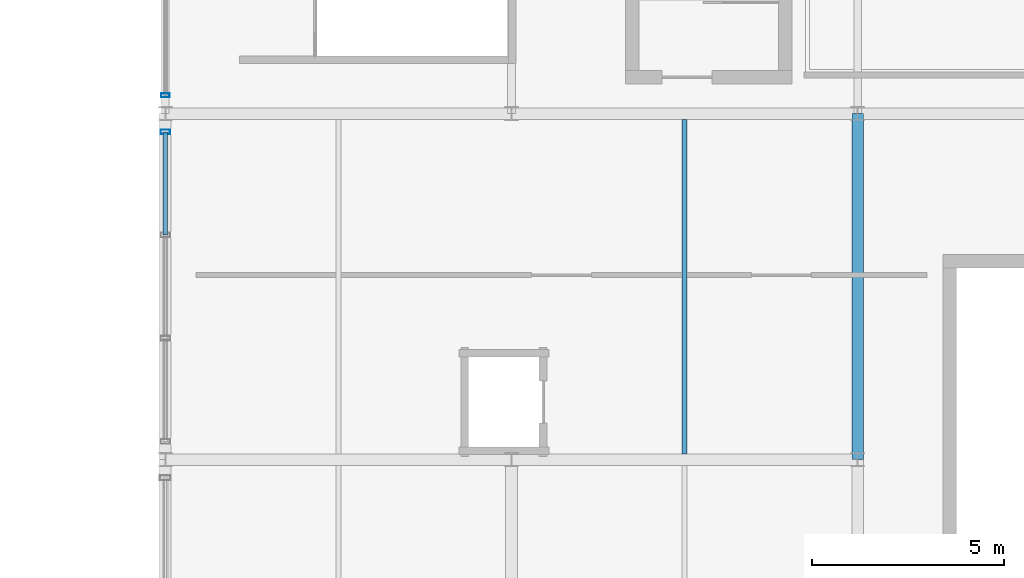
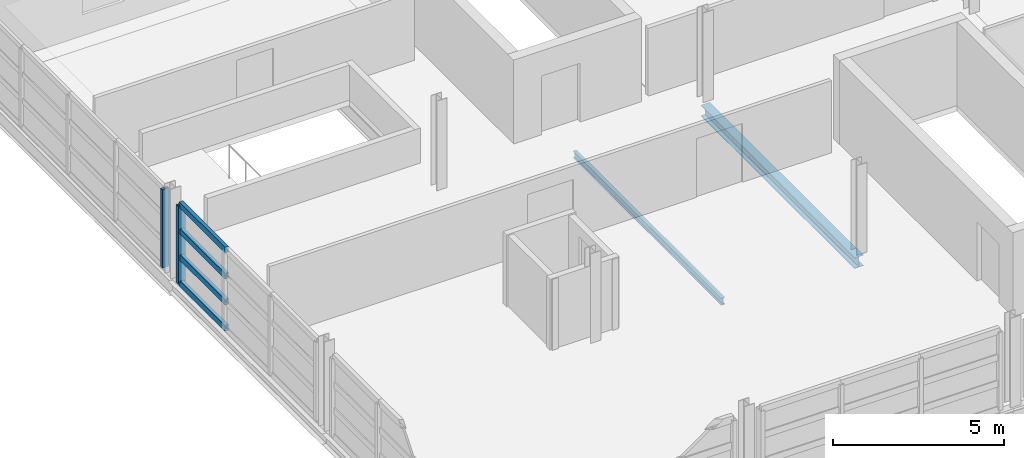
# One storey, part 33 of 86: 6 members, 2 beams, 2 elements without a shape of their own.
"""IFC4 building model written with IfcOpenShell, lengths in metres."""

from ifc_helpers import new_model, si_unit, direction, frame, origin, origin_2d, place, context, subcontext, project, spatial, hollow_rectangle, i_section, extrude, material, material_profile, profile_set, type_object, element, aggregate, save


model = new_model("IFC4")

# Units and contexts
model_context = context("Model", 3, precision=1e-05, world=origin(), true_north=direction((0.0, 1.0)))
body_context = subcontext(model_context, "Body", "Model", "MODEL_VIEW")
ifc_project = project(units=[si_unit("LENGTHUNIT", "METRE"), si_unit("AREAUNIT", "SQUARE_METRE"), si_unit("VOLUMEUNIT", "CUBIC_METRE"), si_unit("PLANEANGLEUNIT", "RADIAN"), si_unit("MASSUNIT", "GRAM", prefix="KILO")], contexts=[model_context])

# Site, building, storey
site_placement = place(None, origin())
site = spatial("IfcSite", under=ifc_project, at=site_placement, CompositionType="ELEMENT")
building_placement = place(site_placement, origin())
building = spatial("IfcBuilding", under=site, at=building_placement, Name="Chuanluo Vaults Station", CompositionType="ELEMENT")
storey_placement = place(building_placement, frame((0.0, 0.0, 14.39990234375)))
storey = spatial("IfcBuildingStorey", under=building, at=storey_placement, Name="L03", CompositionType="ELEMENT", Elevation=14.39990234375)

# Beams
ifc_material_1 = material(Name="Steel Q355C", Category="steel")
ifc_material_profile_1 = material_profile(ifc_material_1, i_section(OverallWidth=0.300048828125, OverallDepth=0.389892578125, WebThickness=0.010009765625, FlangeThickness=0.01611328125, FilletRadius=0.02001953125, at=origin_2d()))
ifc_profile_set_1 = profile_set([ifc_material_profile_1], Name="Steel Q355C")
beam_type_1 = type_object("IfcBeamType", Name="BM-GRD-400", PredefinedType="BEAM", material=ifc_profile_set_1)
beam_1_placement = place(storey_placement, frame((154.0, 9.0, -0.39501953125), z_axis=(0.0, 1.0, 0.0), x_axis=(-1.0, 0.0, 0.0)))
element("IfcBeam", 1, at=beam_1_placement, inside=storey, type_object=beam_type_1, Name="Floor girder BM:GY:L03:0796", PredefinedType="BEAM", context=body_context, shape_type="SweptSolid", body=[
    extrude(i_section(OverallWidth=0.300048828125, OverallDepth=0.389892578125, WebThickness=0.010009765625, FlangeThickness=0.01611328125, FilletRadius=0.02001953125, at=origin_2d()), origin(), (0.0, 0.0, 1.0), 9.0),
])
ifc_material_2 = material(Name="Steel Q355C", Category="steel")
ifc_material_profile_2 = material_profile(ifc_material_2, i_section(OverallWidth=0.125, OverallDepth=0.25, WebThickness=0.006103515625, FlangeThickness=0.009033203125, FilletRadius=0.011962890625, at=origin_2d()))
ifc_profile_set_2 = profile_set([ifc_material_profile_2], Name="Steel Q355C")
beam_type_2 = type_object("IfcBeamType", Name="BM-SEC-250", PredefinedType="JOIST", material=ifc_profile_set_2)
beam_2_placement = place(storey_placement, frame((149.5, 9.155029296875, -0.324951171875), z_axis=(0.0, 1.0, 0.0), x_axis=(-1.0, 0.0, 0.0)))
element("IfcBeam", 2, at=beam_2_placement, inside=storey, type_object=beam_type_2, Name="Composite secondary joist 0237", PredefinedType="JOIST", context=body_context, shape_type="SweptSolid", body=[
    extrude(i_section(OverallWidth=0.125, OverallDepth=0.25, WebThickness=0.006103515625, FlangeThickness=0.009033203125, FilletRadius=0.011962890625, at=origin_2d()), origin(), (0.0, 0.0, 1.0), 8.68994140625),
])

# Curtain wall, member
ifc_material_3 = material(Name="Anodised aluminium 6063-T6", Category="aluminium")
curtain_wall_type_1 = type_object("IfcCurtainWallType", Name="CW-SYS-04", PredefinedType="NOTDEFINED", material=ifc_material_3)
curtain_wall_1_placement = place(storey_placement, origin())
curtain_wall_1 = element("IfcCurtainWall", 3, at=curtain_wall_1_placement, inside=storey, type_object=curtain_wall_type_1, Name="Retail pavilion L03 facade CW", PredefinedType="NOTDEFINED")
ifc_material_4 = material(Name="Anodised aluminium 6063-T6", Category="aluminium")
ifc_material_profile_3 = material_profile(ifc_material_4, hollow_rectangle(XDim=0.10498046875, YDim=0.219970703125, WallThickness=0.006103515625, at=origin_2d()))
ifc_profile_set_3 = profile_set([ifc_material_profile_3], Name="Anodised aluminium 6063-T6")
member_type_1 = type_object("IfcMemberType", Name="CWM-140", PredefinedType="MULLION", material=ifc_profile_set_3)
member_1_placement = place(storey_placement, frame((136.0, 18.47509765625, 0.0), z_axis=(0.0, 0.0, 1.0), x_axis=(0.0, 1.0, 0.0)))
member_1 = element("IfcMember", 4, at=member_1_placement, type_object=member_type_1, Name="Retail pavilion L03 facade CW mullion 1", PredefinedType="MULLION", context=body_context, shape_type="SweptSolid", body=[
    extrude(hollow_rectangle(XDim=0.10498046875, YDim=0.219970703125, WallThickness=0.006103515625, at=origin_2d()), origin(), (0.0, 0.0, 1.0), 2.800048828125),
])
aggregate(curtain_wall_1, [member_1])

# Curtain wall, members
ifc_material_5 = material(Name="Anodised aluminium 6063-T6", Category="aluminium")
curtain_wall_type_2 = type_object("IfcCurtainWallType", Name="CW-SYS-03", PredefinedType="NOTDEFINED", material=ifc_material_5)
curtain_wall_2_placement = place(storey_placement, origin())
curtain_wall_2 = element("IfcCurtainWall", 5, at=curtain_wall_2_placement, inside=storey, type_object=curtain_wall_type_2, Name="Retail pavilion L03 facade CW", PredefinedType="NOTDEFINED")
ifc_material_6 = material(Name="Anodised aluminium 6063-T6", Category="aluminium")
ifc_material_profile_4 = material_profile(ifc_material_6, hollow_rectangle(XDim=0.1201171875, YDim=0.25, WallThickness=0.006103515625, at=origin_2d()))
ifc_profile_set_4 = profile_set([ifc_material_profile_4], Name="Anodised aluminium 6063-T6")
member_type_2 = type_object("IfcMemberType", Name="CWM-160", PredefinedType="MULLION", material=ifc_profile_set_4)
member_2_placement = place(storey_placement, frame((136.0, 17.52490234375, 0.0), z_axis=(0.0, 0.0, 1.0), x_axis=(0.0, 1.0, 0.0)))
member_2 = element("IfcMember", 6, at=member_2_placement, type_object=member_type_2, Name="Retail pavilion L03 facade CW mullion 4", PredefinedType="MULLION", context=body_context, shape_type="SweptSolid", body=[
    extrude(hollow_rectangle(XDim=0.1201171875, YDim=0.25, WallThickness=0.006103515625, at=origin_2d()), origin(), (0.0, 0.0, 1.0), 2.800048828125),
])
ifc_material_7 = material(Name="Anodised aluminium 6063-T6", Category="aluminium")
ifc_material_profile_5 = material_profile(ifc_material_7, hollow_rectangle(XDim=0.1201171875, YDim=0.205078125, WallThickness=0.006103515625, at=origin_2d()))
ifc_profile_set_5 = profile_set([ifc_material_profile_5], Name="Anodised aluminium 6063-T6")
member_type_3 = type_object("IfcMemberType", Name="CWT-130", PredefinedType="USERDEFINED", material=ifc_profile_set_5)
member_3_placement = place(storey_placement, frame((136.0, 14.841796875, 0.0), z_axis=(0.0, 1.0, 0.0), x_axis=(-1.0, 0.0, 0.0)))
member_3 = element("IfcMember", 7, at=member_3_placement, type_object=member_type_3, Name="Retail pavilion L03 facade CW transom 3.1", ObjectType="TRANSOM", PredefinedType="USERDEFINED", context=body_context, shape_type="SweptSolid", body=[
    extrude(hollow_rectangle(XDim=0.1201171875, YDim=0.205078125, WallThickness=0.006103515625, at=origin_2d()), origin(), (0.0, 0.0, 1.0), 2.68310546875),
])
member_4_placement = place(storey_placement, frame((136.0, 14.841796875, 0.933349609375), z_axis=(0.0, 1.0, 0.0), x_axis=(-1.0, 0.0, 0.0)))
member_4 = element("IfcMember", 8, at=member_4_placement, type_object=member_type_3, Name="Retail pavilion L03 facade CW transom 3.2", ObjectType="TRANSOM", PredefinedType="USERDEFINED", context=body_context, shape_type="SweptSolid", body=[
    extrude(hollow_rectangle(XDim=0.1201171875, YDim=0.205078125, WallThickness=0.006103515625, at=origin_2d()), origin(), (0.0, 0.0, 1.0), 2.68310546875),
])
member_5_placement = place(storey_placement, frame((136.0, 14.841796875, 1.86669921875), z_axis=(0.0, 1.0, 0.0), x_axis=(-1.0, 0.0, 0.0)))
member_5 = element("IfcMember", 9, at=member_5_placement, type_object=member_type_3, Name="Retail pavilion L03 facade CW transom 3.3", ObjectType="TRANSOM", PredefinedType="USERDEFINED", context=body_context, shape_type="SweptSolid", body=[
    extrude(hollow_rectangle(XDim=0.1201171875, YDim=0.205078125, WallThickness=0.006103515625, at=origin_2d()), origin(), (0.0, 0.0, 1.0), 2.68310546875),
])
member_6_placement = place(storey_placement, frame((136.0, 14.841796875, 2.800048828125), z_axis=(0.0, 1.0, 0.0), x_axis=(-1.0, 0.0, 0.0)))
member_6 = element("IfcMember", 10, at=member_6_placement, type_object=member_type_3, Name="Retail pavilion L03 facade CW transom 3.4", ObjectType="TRANSOM", PredefinedType="USERDEFINED", context=body_context, shape_type="SweptSolid", body=[
    extrude(hollow_rectangle(XDim=0.1201171875, YDim=0.205078125, WallThickness=0.006103515625, at=origin_2d()), origin(), (0.0, 0.0, 1.0), 2.68310546875),
])
aggregate(curtain_wall_2, [member_2, member_3, member_4, member_5, member_6])

save(model, "model.ifc")
